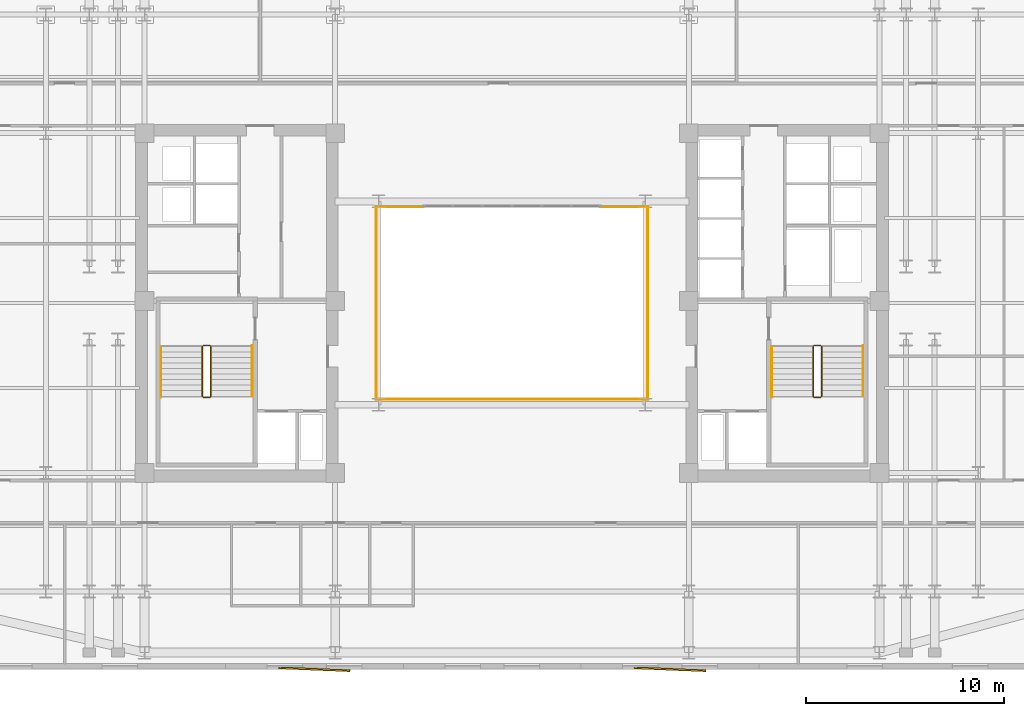
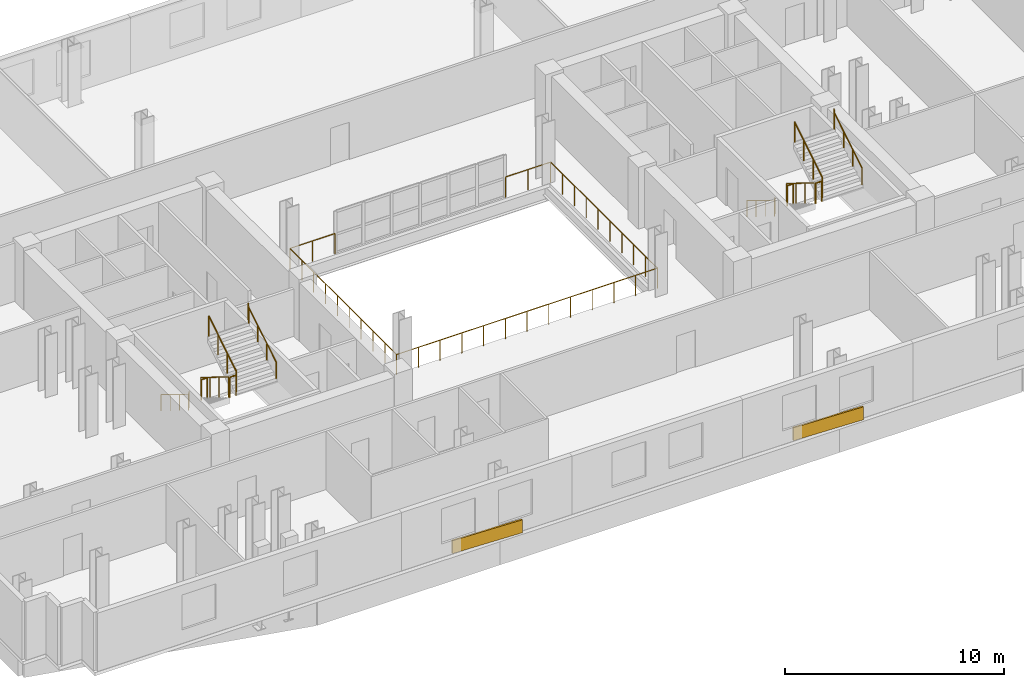
# One storey, part 11 of 12: 17 railings, 2 coverings.
"""IFC4 building model written with IfcOpenShell, lengths in metres."""

from ifc_helpers import new_model, si_unit, direction, frame, origin, origin_2d, place, context, subcontext, project, spatial, rectangle, circle, extrude, material, layer, layer_set, type_object, element, save


model = new_model("IFC4")

# Units and contexts
model_context = context("Model", 3, precision=1e-05, world=origin(), true_north=direction((0.0, 1.0)))
body_context = subcontext(model_context, "Body", "Model", "MODEL_VIEW")
ifc_project = project(units=[si_unit("LENGTHUNIT", "METRE"), si_unit("AREAUNIT", "SQUARE_METRE"), si_unit("VOLUMEUNIT", "CUBIC_METRE"), si_unit("PLANEANGLEUNIT", "RADIAN"), si_unit("MASSUNIT", "GRAM", prefix="KILO")], contexts=[model_context])

# Site, building, storey
site_placement = place(None, origin())
site = spatial("IfcSite", under=ifc_project, at=site_placement, CompositionType="ELEMENT")
building_placement = place(site_placement, origin())
building = spatial("IfcBuilding", under=site, at=building_placement, Name="Velakula Bourse", CompositionType="ELEMENT")
storey_placement = place(building_placement, frame((0.0, 0.0, 120.85009765625)))
storey = spatial("IfcBuildingStorey", under=building, at=storey_placement, Name="L32", CompositionType="ELEMENT", Elevation=120.85009765625)

# Coverings
ifc_material_1 = material(Name="Red kilned clay facing brick masonry", Category="masonry")
ifc_layer = layer(ifc_material_1, 0.090087890625, Name="Red kilned clay facing brick masonry", Category="masonry")
ifc_layer_set = layer_set([ifc_layer], Name="Red kilned clay facing brick masonry")
covering_type = type_object("IfcCoveringType", Name="COV-BRK-FOLD-90", PredefinedType="CLADDING", material=ifc_layer_set)
for number, where, z_axis, x_axis, name in (
    (1, (-10.0, -18.5400390625, 0.0), (0.0, 0.0, 1.0), (0.999158993058, -0.041003738744, 0.0), "L32 Folded Brick Facade Cladding Panel S-B2"),
    (2, (8.0, -18.5400390625, 0.0), (0.0, 0.0, 1.0), (0.999158993058, -0.041003738744, 0.0), "L32 Folded Brick Facade Cladding Panel S-B4"),
):
    element("IfcCovering", number, at=place(storey_placement, frame(where, z_axis=z_axis, x_axis=x_axis)), inside=storey, type_object=covering_type, Name=name, PredefinedType="CLADDING", context=body_context, shape_type="SweptSolid", body=[
        extrude(rectangle(XDim=3.60009765625, YDim=0.090087890625, at=origin_2d()), origin(), (0.0, 0.0, 1.0), 0.719970703125),
    ])

# Railings
ifc_material_2 = material(Name="Brushed grade 316 stainless steel", Category="steel")
railing_type_1 = type_object("IfcRailingType", Name="RLG-ATRIUM-1150", PredefinedType="BALUSTRADE", material=ifc_material_2)
railing_1_placement = place(storey_placement, frame((-6.8798828125, -4.8798828125, 0.0)))
element("IfcRailing", 3, at=railing_1_placement, inside=storey, type_object=railing_type_1, Name="L32 Central Trading Atrium Balustrade S", PredefinedType="BALUSTRADE", context=body_context, shape_type="SweptSolid", body=[
    extrude(circle(Radius=0.02392578125, at=origin_2d()), frame((0.0, 0.0, 1.1259765625), z_axis=(1.0, 0.0, 0.0), x_axis=(0.0, 1.0, 0.0)), (0.0, 0.0, 1.0), 13.759765625),
    extrude(circle(Radius=0.02099609375, at=origin_2d()), origin(), (0.0, 0.0, 1.0), 1.101806640625),
    extrude(circle(Radius=0.02099609375, at=origin_2d()), frame((1.146728515625, 0.0, 0.0)), (0.0, 0.0, 1.0), 1.101806640625),
    extrude(circle(Radius=0.02099609375, at=origin_2d()), frame((2.293212890625, 0.0, 0.0)), (0.0, 0.0, 1.0), 1.101806640625),
    extrude(circle(Radius=0.02099609375, at=origin_2d()), frame((3.43994140625, 0.0, 0.0)), (0.0, 0.0, 1.0), 1.101806640625),
    extrude(circle(Radius=0.02099609375, at=origin_2d()), frame((4.586669921875, 0.0, 0.0)), (0.0, 0.0, 1.0), 1.101806640625),
    extrude(circle(Radius=0.02099609375, at=origin_2d()), frame((5.733154296875, 0.0, 0.0)), (0.0, 0.0, 1.0), 1.101806640625),
    extrude(circle(Radius=0.02099609375, at=origin_2d()), frame((6.8798828125, 0.0, 0.0)), (0.0, 0.0, 1.0), 1.101806640625),
    extrude(circle(Radius=0.02099609375, at=origin_2d()), frame((8.026611328125, 0.0, 0.0)), (0.0, 0.0, 1.0), 1.101806640625),
    extrude(circle(Radius=0.02099609375, at=origin_2d()), frame((9.173095703125, 0.0, 0.0)), (0.0, 0.0, 1.0), 1.101806640625),
    extrude(circle(Radius=0.02099609375, at=origin_2d()), frame((10.31982421875, 0.0, 0.0)), (0.0, 0.0, 1.0), 1.101806640625),
    extrude(circle(Radius=0.02099609375, at=origin_2d()), frame((11.466552734375, 0.0, 0.0)), (0.0, 0.0, 1.0), 1.101806640625),
    extrude(circle(Radius=0.02099609375, at=origin_2d()), frame((12.613037109375, 0.0, 0.0)), (0.0, 0.0, 1.0), 1.101806640625),
    extrude(circle(Radius=0.02099609375, at=origin_2d()), frame((13.759765625, 0.0, 0.0)), (0.0, 0.0, 1.0), 1.101806640625),
])
railing_2_placement = place(storey_placement, frame((-6.8798828125, 4.8798828125, 0.0)))
element("IfcRailing", 4, at=railing_2_placement, inside=storey, type_object=railing_type_1, Name="L32 Central Trading Atrium Balustrade W", PredefinedType="BALUSTRADE", context=body_context, shape_type="SweptSolid", body=[
    extrude(circle(Radius=0.02392578125, at=origin_2d()), frame((0.0, 0.0, 1.1259765625), z_axis=(0.0, -1.0, 0.0), x_axis=(1.0, 0.0, 0.0)), (0.0, 0.0, 1.0), 9.759765625),
    extrude(circle(Radius=0.02099609375, at=origin_2d()), origin(), (0.0, 0.0, 1.0), 1.101806640625),
    extrude(circle(Radius=0.02099609375, at=origin_2d()), frame((0.0, -1.08447265625, 0.0)), (0.0, 0.0, 1.0), 1.101806640625),
    extrude(circle(Radius=0.02099609375, at=origin_2d()), frame((0.0, -2.1689453125, 0.0)), (0.0, 0.0, 1.0), 1.101806640625),
    extrude(circle(Radius=0.02099609375, at=origin_2d()), frame((0.0, -3.253173828125, 0.0)), (0.0, 0.0, 1.0), 1.101806640625),
    extrude(circle(Radius=0.02099609375, at=origin_2d()), frame((0.0, -4.337646484375, 0.0)), (0.0, 0.0, 1.0), 1.101806640625),
    extrude(circle(Radius=0.02099609375, at=origin_2d()), frame((0.0, -5.422119140625, 0.0)), (0.0, 0.0, 1.0), 1.101806640625),
    extrude(circle(Radius=0.02099609375, at=origin_2d()), frame((0.0, -6.506591796875, 0.0)), (0.0, 0.0, 1.0), 1.101806640625),
    extrude(circle(Radius=0.02099609375, at=origin_2d()), frame((0.0, -7.5908203125, 0.0)), (0.0, 0.0, 1.0), 1.101806640625),
    extrude(circle(Radius=0.02099609375, at=origin_2d()), frame((0.0, -8.67529296875, 0.0)), (0.0, 0.0, 1.0), 1.101806640625),
    extrude(circle(Radius=0.02099609375, at=origin_2d()), frame((0.0, -9.759765625, 0.0)), (0.0, 0.0, 1.0), 1.101806640625),
])
railing_3_placement = place(storey_placement, frame((6.8798828125, -4.8798828125, 0.0)))
element("IfcRailing", 5, at=railing_3_placement, inside=storey, type_object=railing_type_1, Name="L32 Central Trading Atrium Balustrade E", PredefinedType="BALUSTRADE", context=body_context, shape_type="SweptSolid", body=[
    extrude(circle(Radius=0.02392578125, at=origin_2d()), frame((0.0, 0.0, 1.1259765625), z_axis=(0.0, 1.0, 0.0), x_axis=(-1.0, 0.0, 0.0)), (0.0, 0.0, 1.0), 9.759765625),
    extrude(circle(Radius=0.02099609375, at=origin_2d()), origin(), (0.0, 0.0, 1.0), 1.101806640625),
    extrude(circle(Radius=0.02099609375, at=origin_2d()), frame((0.0, 1.08447265625, 0.0)), (0.0, 0.0, 1.0), 1.101806640625),
    extrude(circle(Radius=0.02099609375, at=origin_2d()), frame((0.0, 2.1689453125, 0.0)), (0.0, 0.0, 1.0), 1.101806640625),
    extrude(circle(Radius=0.02099609375, at=origin_2d()), frame((0.0, 3.253173828125, 0.0)), (0.0, 0.0, 1.0), 1.101806640625),
    extrude(circle(Radius=0.02099609375, at=origin_2d()), frame((0.0, 4.337646484375, 0.0)), (0.0, 0.0, 1.0), 1.101806640625),
    extrude(circle(Radius=0.02099609375, at=origin_2d()), frame((0.0, 5.422119140625, 0.0)), (0.0, 0.0, 1.0), 1.101806640625),
    extrude(circle(Radius=0.02099609375, at=origin_2d()), frame((0.0, 6.506591796875, 0.0)), (0.0, 0.0, 1.0), 1.101806640625),
    extrude(circle(Radius=0.02099609375, at=origin_2d()), frame((0.0, 7.5908203125, 0.0)), (0.0, 0.0, 1.0), 1.101806640625),
    extrude(circle(Radius=0.02099609375, at=origin_2d()), frame((0.0, 8.67529296875, 0.0)), (0.0, 0.0, 1.0), 1.101806640625),
    extrude(circle(Radius=0.02099609375, at=origin_2d()), frame((0.0, 9.759765625, 0.0)), (0.0, 0.0, 1.0), 1.101806640625),
])
for number, where, name in (
    (6, (-4.5, 4.8798828125, 0.0), "L32 Central Trading Atrium Balustrade NW"),
    (7, (6.8798828125, 4.8798828125, 0.0), "L32 Central Trading Atrium Balustrade NE"),
):
    element("IfcRailing", number, at=place(storey_placement, frame(where)), inside=storey, type_object=railing_type_1, Name=name, PredefinedType="BALUSTRADE", context=body_context, shape_type="SweptSolid", body=[
        extrude(circle(Radius=0.02392578125, at=origin_2d()), frame((0.0, 0.0, 1.1259765625), z_axis=(-1.0, 0.0, 0.0), x_axis=(0.0, -1.0, 0.0)), (0.0, 0.0, 1.0), 2.3798828125),
        extrude(circle(Radius=0.02099609375, at=origin_2d()), origin(), (0.0, 0.0, 1.0), 1.101806640625),
        extrude(circle(Radius=0.02099609375, at=origin_2d()), frame((-1.18994140625, 0.0, 0.0)), (0.0, 0.0, 1.0), 1.101806640625),
        extrude(circle(Radius=0.02099609375, at=origin_2d()), frame((-2.3798828125, 0.0, 0.0)), (0.0, 0.0, 1.0), 1.101806640625),
    ])
railing_type_2 = type_object("IfcRailingType", Name="RLG-STAIR-GUARD-1150", PredefinedType="BALUSTRADE", material=ifc_material_2)
railing_4_placement = place(storey_placement, frame((-15.672119140625, -2.199951171875, 0.17236328125)))
element("IfcRailing", 8, at=railing_4_placement, inside=storey, type_object=railing_type_2, Name="L32 ST-W1 stair guard 1", PredefinedType="BALUSTRADE", context=body_context, shape_type="SweptSolid", body=[
    extrude(circle(Radius=0.02490234375, at=origin_2d()), frame((0.0, 0.0, 1.125), z_axis=(0.0, -0.851400495292, 0.524516154772), x_axis=(1.0, 0.0, 0.0)), (0.0, 0.0, 1.0), 2.9599609375),
    extrude(circle(Radius=0.02099609375, at=origin_2d()), origin(), (0.0, 0.0, 1.0), 1.099853515625),
    extrude(circle(Radius=0.02099609375, at=origin_2d()), frame((0.0, -0.840087890625, 0.517578125)), (0.0, 0.0, 1.0), 1.099853515625),
    extrude(circle(Radius=0.02099609375, at=origin_2d()), frame((0.0, -1.679931640625, 1.034912109375)), (0.0, 0.0, 1.0), 1.099853515625),
    extrude(circle(Radius=0.02099609375, at=origin_2d()), frame((0.0, -2.52001953125, 1.552490234375)), (0.0, 0.0, 1.0), 1.099853515625),
])
railing_5_placement = place(storey_placement, frame((-15.6220703125, -4.77001953125, 1.724853515625)))
element("IfcRailing", 9, at=railing_5_placement, inside=storey, type_object=railing_type_2, Name="L32 ST-W1 stair guard 2", PredefinedType="BALUSTRADE", context=body_context, shape_type="SweptSolid", body=[
    extrude(circle(Radius=0.02490234375, at=origin_2d()), frame((0.0, 0.0, 1.125), z_axis=(1.0, 0.0, 0.0), x_axis=(0.0, 1.0, 0.0)), (0.0, 0.0, 1.0), 0.323974609375),
    extrude(circle(Radius=0.02099609375, at=origin_2d()), origin(), (0.0, 0.0, 1.0), 1.099853515625),
    extrude(circle(Radius=0.02099609375, at=origin_2d()), frame((0.323974609375, 0.0, 0.0)), (0.0, 0.0, 1.0), 1.099853515625),
])
railing_6_placement = place(storey_placement, frame((-15.248046875, -4.719970703125, 1.8974609375)))
element("IfcRailing", 10, at=railing_6_placement, inside=storey, type_object=railing_type_2, Name="L32 ST-W1 stair guard 3", PredefinedType="BALUSTRADE", context=body_context, shape_type="SweptSolid", body=[
    extrude(circle(Radius=0.02490234375, at=origin_2d()), frame((0.0, 0.0, 1.125), z_axis=(0.0, 0.851400495292, 0.524516154772), x_axis=(-1.0, 0.0, 0.0)), (0.0, 0.0, 1.0), 2.9599609375),
    extrude(circle(Radius=0.02099609375, at=origin_2d()), origin(), (0.0, 0.0, 1.0), 1.099853515625),
    extrude(circle(Radius=0.02099609375, at=origin_2d()), frame((0.0, 0.840087890625, 0.517578125)), (0.0, 0.0, 1.0), 1.099853515625),
    extrude(circle(Radius=0.02099609375, at=origin_2d()), frame((0.0, 1.679931640625, 1.034912109375)), (0.0, 0.0, 1.0), 1.099853515625),
    extrude(circle(Radius=0.02099609375, at=origin_2d()), frame((0.0, 2.52001953125, 1.552490234375)), (0.0, 0.0, 1.0), 1.099853515625),
])
railing_7_placement = place(storey_placement, frame((-15.6220703125, -2.14990234375, 0.0)))
element("IfcRailing", 11, at=railing_7_placement, inside=storey, type_object=railing_type_2, Name="L32 ST-W1 stair guard 4", PredefinedType="BALUSTRADE", context=body_context, shape_type="SweptSolid", body=[
    extrude(circle(Radius=0.02490234375, at=origin_2d()), frame((0.0, 0.0, 1.125), z_axis=(1.0, 0.0, 0.0), x_axis=(0.0, 1.0, 0.0)), (0.0, 0.0, 1.0), 0.323974609375),
    extrude(circle(Radius=0.02099609375, at=origin_2d()), origin(), (0.0, 0.0, 1.0), 1.099853515625),
    extrude(circle(Radius=0.02099609375, at=origin_2d()), frame((0.323974609375, 0.0, 0.0)), (0.0, 0.0, 1.0), 1.099853515625),
])
railing_8_placement = place(storey_placement, frame((15.248046875, -2.199951171875, 0.17236328125)))
element("IfcRailing", 12, at=railing_8_placement, inside=storey, type_object=railing_type_2, Name="L32 ST-E1 stair guard 1", PredefinedType="BALUSTRADE", context=body_context, shape_type="SweptSolid", body=[
    extrude(circle(Radius=0.02490234375, at=origin_2d()), frame((0.0, 0.0, 1.125), z_axis=(0.0, -0.851400495292, 0.524516154772), x_axis=(1.0, 0.0, 0.0)), (0.0, 0.0, 1.0), 2.9599609375),
    extrude(circle(Radius=0.02099609375, at=origin_2d()), origin(), (0.0, 0.0, 1.0), 1.099853515625),
    extrude(circle(Radius=0.02099609375, at=origin_2d()), frame((0.0, -0.840087890625, 0.517578125)), (0.0, 0.0, 1.0), 1.099853515625),
    extrude(circle(Radius=0.02099609375, at=origin_2d()), frame((0.0, -1.679931640625, 1.034912109375)), (0.0, 0.0, 1.0), 1.099853515625),
    extrude(circle(Radius=0.02099609375, at=origin_2d()), frame((0.0, -2.52001953125, 1.552490234375)), (0.0, 0.0, 1.0), 1.099853515625),
])
railing_9_placement = place(storey_placement, frame((15.298095703125, -4.77001953125, 1.724853515625)))
element("IfcRailing", 13, at=railing_9_placement, inside=storey, type_object=railing_type_2, Name="L32 ST-E1 stair guard 2", PredefinedType="BALUSTRADE", context=body_context, shape_type="SweptSolid", body=[
    extrude(circle(Radius=0.02490234375, at=origin_2d()), frame((0.0, 0.0, 1.125), z_axis=(1.0, 0.0, 0.0), x_axis=(0.0, 1.0, 0.0)), (0.0, 0.0, 1.0), 0.323974609375),
    extrude(circle(Radius=0.02099609375, at=origin_2d()), origin(), (0.0, 0.0, 1.0), 1.099853515625),
    extrude(circle(Radius=0.02099609375, at=origin_2d()), frame((0.323974609375, 0.0, 0.0)), (0.0, 0.0, 1.0), 1.099853515625),
])
railing_10_placement = place(storey_placement, frame((15.672119140625, -4.719970703125, 1.8974609375)))
element("IfcRailing", 14, at=railing_10_placement, inside=storey, type_object=railing_type_2, Name="L32 ST-E1 stair guard 3", PredefinedType="BALUSTRADE", context=body_context, shape_type="SweptSolid", body=[
    extrude(circle(Radius=0.02490234375, at=origin_2d()), frame((0.0, 0.0, 1.125), z_axis=(0.0, 0.851400495292, 0.524516154772), x_axis=(-1.0, 0.0, 0.0)), (0.0, 0.0, 1.0), 2.9599609375),
    extrude(circle(Radius=0.02099609375, at=origin_2d()), origin(), (0.0, 0.0, 1.0), 1.099853515625),
    extrude(circle(Radius=0.02099609375, at=origin_2d()), frame((0.0, 0.840087890625, 0.517578125)), (0.0, 0.0, 1.0), 1.099853515625),
    extrude(circle(Radius=0.02099609375, at=origin_2d()), frame((0.0, 1.679931640625, 1.034912109375)), (0.0, 0.0, 1.0), 1.099853515625),
    extrude(circle(Radius=0.02099609375, at=origin_2d()), frame((0.0, 2.52001953125, 1.552490234375)), (0.0, 0.0, 1.0), 1.099853515625),
])
railing_11_placement = place(storey_placement, frame((15.298095703125, -2.14990234375, 0.0)))
element("IfcRailing", 15, at=railing_11_placement, inside=storey, type_object=railing_type_2, Name="L32 ST-E1 stair guard 4", PredefinedType="BALUSTRADE", context=body_context, shape_type="SweptSolid", body=[
    extrude(circle(Radius=0.02490234375, at=origin_2d()), frame((0.0, 0.0, 1.125), z_axis=(1.0, 0.0, 0.0), x_axis=(0.0, 1.0, 0.0)), (0.0, 0.0, 1.0), 0.323974609375),
    extrude(circle(Radius=0.02099609375, at=origin_2d()), origin(), (0.0, 0.0, 1.0), 1.099853515625),
    extrude(circle(Radius=0.02099609375, at=origin_2d()), frame((0.323974609375, 0.0, 0.0)), (0.0, 0.0, 1.0), 1.099853515625),
])
railing_type_3 = type_object("IfcRailingType", Name="RLG-STAIR-HAND-920", PredefinedType="HANDRAIL", material=ifc_material_2)
railing_12_placement = place(storey_placement, frame((-17.77001953125, -2.199951171875, 0.17236328125)))
element("IfcRailing", 16, at=railing_12_placement, inside=storey, type_object=railing_type_3, Name="L32 ST-W1 stair handrail 1", PredefinedType="HANDRAIL", context=body_context, shape_type="SweptSolid", body=[
    extrude(circle(Radius=0.02099609375, at=origin_2d()), frame((0.0, 0.0, 0.89892578125), z_axis=(0.0, -0.851400495292, 0.524516154772), x_axis=(1.0, 0.0, 0.0)), (0.0, 0.0, 1.0), 2.9599609375),
    extrude(circle(Radius=0.02099609375, at=origin_2d()), frame((0.0, -2.52001953125, 2.451416015625), z_axis=(0.0, -0.22596628056, 0.974135124123), x_axis=(1.0, 0.0, 0.0)), (0.0, 0.0, 1.0), 0.17724609375),
    extrude(circle(Radius=0.02099609375, at=origin_2d()), frame((0.0, -2.56005859375, 2.6240234375), z_axis=(0.0, -1.0, 0.0), x_axis=(1.0, 0.0, 0.0)), (0.0, 0.0, 1.0), 0.0048828125),
    extrude(circle(Radius=0.02099609375, at=origin_2d()), origin(), (0.0, 0.0, 1.0), 0.8779296875),
    extrude(circle(Radius=0.02099609375, at=origin_2d()), frame((0.0, -0.840087890625, 0.517578125)), (0.0, 0.0, 1.0), 0.8779296875),
    extrude(circle(Radius=0.02099609375, at=origin_2d()), frame((0.0, -1.679931640625, 1.034912109375)), (0.0, 0.0, 1.0), 0.8779296875),
    extrude(circle(Radius=0.02099609375, at=origin_2d()), frame((0.0, -2.52001953125, 1.552490234375)), (0.0, 0.0, 1.0), 0.8779296875),
    extrude(circle(Radius=0.02099609375, at=origin_2d()), frame((0.0, -2.56005859375, 1.72509765625)), (0.0, 0.0, 1.0), 0.8779296875),
    extrude(circle(Radius=0.02099609375, at=origin_2d()), frame((0.0, -2.56494140625, 1.72509765625)), (0.0, 0.0, 1.0), 0.8779296875),
])
railing_13_placement = place(storey_placement, frame((-13.14990234375, -4.719970703125, 1.8974609375)))
element("IfcRailing", 17, at=railing_13_placement, inside=storey, type_object=railing_type_3, Name="L32 ST-W1 stair handrail 2", PredefinedType="HANDRAIL", context=body_context, shape_type="SweptSolid", body=[
    extrude(circle(Radius=0.02099609375, at=origin_2d()), frame((0.0, 0.0, 0.89892578125), z_axis=(0.0, 0.851400495292, 0.524516154772), x_axis=(-1.0, 0.0, 0.0)), (0.0, 0.0, 1.0), 2.9599609375),
    extrude(circle(Radius=0.02099609375, at=origin_2d()), frame((0.0, 2.52001953125, 2.451416015625), z_axis=(0.0, 0.226269970362, 0.974064628509), x_axis=(-1.0, 0.0, 0.0)), (0.0, 0.0, 1.0), 0.177001953125),
    extrude(circle(Radius=0.02099609375, at=origin_2d()), frame((0.0, 2.56005859375, 2.623779296875), z_axis=(0.0, 1.0, 0.0), x_axis=(-1.0, 0.0, 0.0)), (0.0, 0.0, 1.0), 0.0048828125),
    extrude(circle(Radius=0.02099609375, at=origin_2d()), origin(), (0.0, 0.0, 1.0), 0.8779296875),
    extrude(circle(Radius=0.02099609375, at=origin_2d()), frame((0.0, 0.840087890625, 0.517578125)), (0.0, 0.0, 1.0), 0.8779296875),
    extrude(circle(Radius=0.02099609375, at=origin_2d()), frame((0.0, 1.679931640625, 1.034912109375)), (0.0, 0.0, 1.0), 0.8779296875),
    extrude(circle(Radius=0.02099609375, at=origin_2d()), frame((0.0, 2.52001953125, 1.552490234375)), (0.0, 0.0, 1.0), 0.8779296875),
    extrude(circle(Radius=0.02099609375, at=origin_2d()), frame((0.0, 2.56005859375, 1.724853515625)), (0.0, 0.0, 1.0), 0.8779296875),
    extrude(circle(Radius=0.02099609375, at=origin_2d()), frame((0.0, 2.56494140625, 1.724853515625)), (0.0, 0.0, 1.0), 0.8779296875),
])
railing_14_placement = place(storey_placement, frame((13.14990234375, -2.199951171875, 0.17236328125)))
element("IfcRailing", 18, at=railing_14_placement, inside=storey, type_object=railing_type_3, Name="L32 ST-E1 stair handrail 1", PredefinedType="HANDRAIL", context=body_context, shape_type="SweptSolid", body=[
    extrude(circle(Radius=0.02099609375, at=origin_2d()), frame((0.0, 0.0, 0.89892578125), z_axis=(0.0, -0.851400495292, 0.524516154772), x_axis=(1.0, 0.0, 0.0)), (0.0, 0.0, 1.0), 2.9599609375),
    extrude(circle(Radius=0.02099609375, at=origin_2d()), frame((0.0, -2.52001953125, 2.451416015625), z_axis=(0.0, -0.22596628056, 0.974135124123), x_axis=(1.0, 0.0, 0.0)), (0.0, 0.0, 1.0), 0.17724609375),
    extrude(circle(Radius=0.02099609375, at=origin_2d()), frame((0.0, -2.56005859375, 2.6240234375), z_axis=(0.0, -1.0, 0.0), x_axis=(1.0, 0.0, 0.0)), (0.0, 0.0, 1.0), 0.0048828125),
    extrude(circle(Radius=0.02099609375, at=origin_2d()), origin(), (0.0, 0.0, 1.0), 0.8779296875),
    extrude(circle(Radius=0.02099609375, at=origin_2d()), frame((0.0, -0.840087890625, 0.517578125)), (0.0, 0.0, 1.0), 0.8779296875),
    extrude(circle(Radius=0.02099609375, at=origin_2d()), frame((0.0, -1.679931640625, 1.034912109375)), (0.0, 0.0, 1.0), 0.8779296875),
    extrude(circle(Radius=0.02099609375, at=origin_2d()), frame((0.0, -2.52001953125, 1.552490234375)), (0.0, 0.0, 1.0), 0.8779296875),
    extrude(circle(Radius=0.02099609375, at=origin_2d()), frame((0.0, -2.56005859375, 1.72509765625)), (0.0, 0.0, 1.0), 0.8779296875),
    extrude(circle(Radius=0.02099609375, at=origin_2d()), frame((0.0, -2.56494140625, 1.72509765625)), (0.0, 0.0, 1.0), 0.8779296875),
])
railing_15_placement = place(storey_placement, frame((17.77001953125, -4.719970703125, 1.8974609375)))
element("IfcRailing", 19, at=railing_15_placement, inside=storey, type_object=railing_type_3, Name="L32 ST-E1 stair handrail 2", PredefinedType="HANDRAIL", context=body_context, shape_type="SweptSolid", body=[
    extrude(circle(Radius=0.02099609375, at=origin_2d()), frame((0.0, 0.0, 0.89892578125), z_axis=(0.0, 0.851400495292, 0.524516154772), x_axis=(-1.0, 0.0, 0.0)), (0.0, 0.0, 1.0), 2.9599609375),
    extrude(circle(Radius=0.02099609375, at=origin_2d()), frame((0.0, 2.52001953125, 2.451416015625), z_axis=(0.0, 0.226269970362, 0.974064628509), x_axis=(-1.0, 0.0, 0.0)), (0.0, 0.0, 1.0), 0.177001953125),
    extrude(circle(Radius=0.02099609375, at=origin_2d()), frame((0.0, 2.56005859375, 2.623779296875), z_axis=(0.0, 1.0, 0.0), x_axis=(-1.0, 0.0, 0.0)), (0.0, 0.0, 1.0), 0.0048828125),
    extrude(circle(Radius=0.02099609375, at=origin_2d()), origin(), (0.0, 0.0, 1.0), 0.8779296875),
    extrude(circle(Radius=0.02099609375, at=origin_2d()), frame((0.0, 0.840087890625, 0.517578125)), (0.0, 0.0, 1.0), 0.8779296875),
    extrude(circle(Radius=0.02099609375, at=origin_2d()), frame((0.0, 1.679931640625, 1.034912109375)), (0.0, 0.0, 1.0), 0.8779296875),
    extrude(circle(Radius=0.02099609375, at=origin_2d()), frame((0.0, 2.52001953125, 1.552490234375)), (0.0, 0.0, 1.0), 0.8779296875),
    extrude(circle(Radius=0.02099609375, at=origin_2d()), frame((0.0, 2.56005859375, 1.724853515625)), (0.0, 0.0, 1.0), 0.8779296875),
    extrude(circle(Radius=0.02099609375, at=origin_2d()), frame((0.0, 2.56494140625, 1.724853515625)), (0.0, 0.0, 1.0), 0.8779296875),
])

save(model, "model.ifc")
